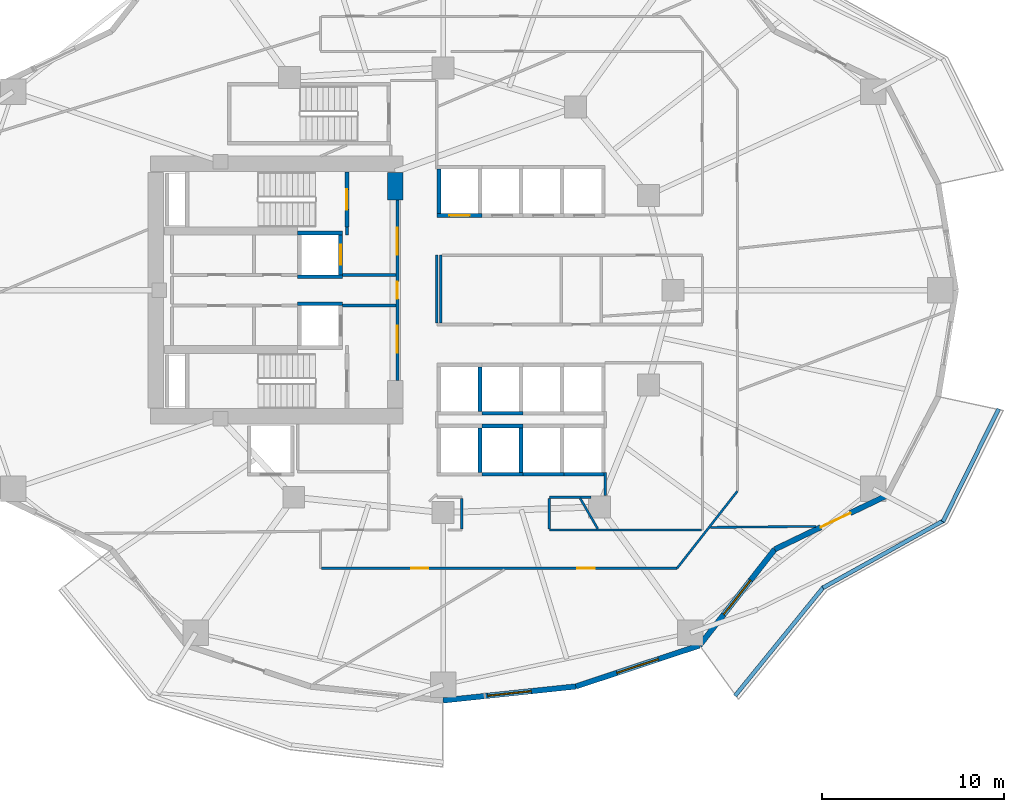
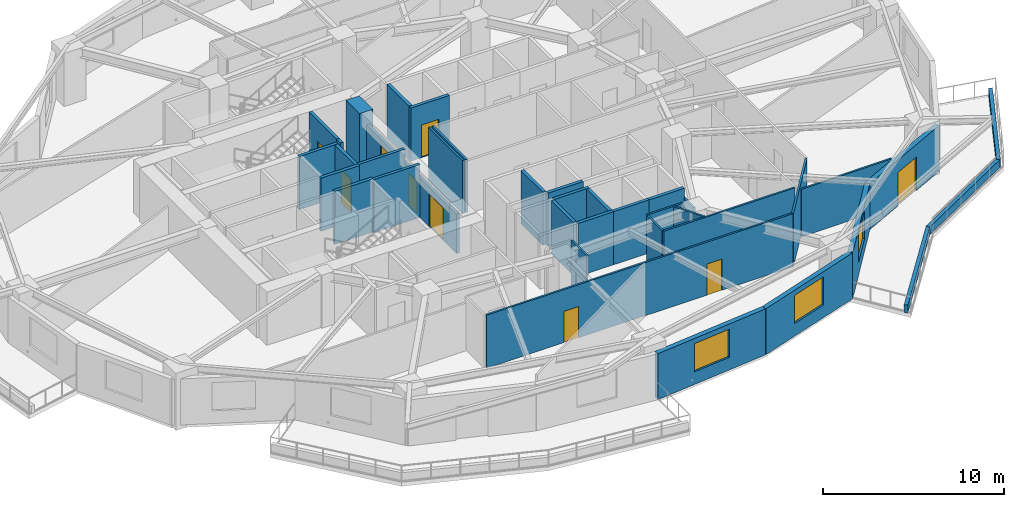
# One storey, part 4 of 14: 38 walls, 9 doors, 3 windows, 12 openings.
"""IFC4 building model written with IfcOpenShell, lengths in metres."""

from ifc_helpers import new_model, si_unit, direction, frame, frame_2d, origin, place, context, subcontext, project, spatial, rectangle, extrude, material, layer, layer_set, type_object, element, fill, save


model = new_model("IFC4")

# Units and contexts
model_context = context("Model", 3, precision=1e-05, world=origin(), true_north=direction((0.0, 1.0)))
body_context = subcontext(model_context, "Body", "Model", "MODEL_VIEW")
ifc_project = project(units=[si_unit("LENGTHUNIT", "METRE"), si_unit("AREAUNIT", "SQUARE_METRE"), si_unit("VOLUMEUNIT", "CUBIC_METRE"), si_unit("PLANEANGLEUNIT", "RADIAN"), si_unit("MASSUNIT", "GRAM", prefix="KILO")], contexts=[model_context])

# Site, building, storey
site_placement = place(None, origin())
site = spatial("IfcSite", under=ifc_project, at=site_placement, CompositionType="ELEMENT")
building_placement = place(site_placement, origin())
building = spatial("IfcBuilding", under=site, at=building_placement, Name="Kolvaren Gate Tower and Convention Centre", CompositionType="ELEMENT")
storey_placement = place(building_placement, frame((0.0, 0.0, 41.89990234375)))
storey = spatial("IfcBuildingStorey", under=building, at=storey_placement, Name="L09", CompositionType="ELEMENT", Elevation=41.89990234375)

# Wall
ifc_material_1 = material(Name="Autoclaved Aerated Masonry Blockwork Class 4 (4.0 MPa)", Category="masonry")
ifc_layer_1 = layer(ifc_material_1, 0.179931640625)
ifc_layer_set_1 = layer_set([ifc_layer_1], Name="Autoclaved Aerated Masonry Blockwork Class 4 (4.0 MPa)")
wall_type_1 = type_object("IfcWallType", Name="ARCH-WL-COMP-180", PredefinedType="SOLIDWALL", material=ifc_layer_set_1)
wall_1_placement = place(storey_placement, frame((24.85009765625, 30.0400390625, 0.0), z_axis=(0.0, 0.0, 1.0), x_axis=(0.0, 1.0, 0.0)))
element("IfcWall", 1, at=wall_1_placement, inside=storey, type_object=wall_type_1, Name="Interior Partition WL-L09-INT-002", PredefinedType="SOLIDWALL", context=body_context, shape_type="SweptSolid", body=[
    extrude(rectangle(XDim=0.419921875, YDim=0.179931640625, at=frame_2d((0.2099609375, 0.0))), origin(), (0.0, 0.0, 1.0), 3.570068359375),
])

# Wall, openings, doors
wall_2_placement = place(storey_placement, frame((27.6201171875, 22.050048828125, 0.0), z_axis=(0.0, 0.0, 1.0), x_axis=(0.0, 1.0, 0.0)))
wall_2 = element("IfcWall", 2, at=wall_2_placement, inside=storey, type_object=wall_type_1, Name="Interior Partition WL-L09-INT-003", PredefinedType="SOLIDWALL", context=body_context, shape_type="SweptSolid", body=[
    extrude(rectangle(XDim=9.89990234375, YDim=0.179931640625, at=frame_2d((4.949951171875, 0.0))), origin(), (0.0, 0.0, 1.0), 2.662109375),
])
opening_1_placement = place(wall_2_placement, frame((4.47509765625, 0.0, 0.0)))
opening_1 = element("IfcOpeningElement", 3, at=opening_1_placement, cuts=wall_2, Name="Opening DR-01", PredefinedType="OPENING", context=body_context, shape_type="SweptSolid", body=[
    extrude(rectangle(XDim=0.949951171875, YDim=2.10009765625, at=frame_2d((0.47509765625, 1.050048828125))), frame((0.0, 0.099853515625, 0.0), z_axis=(0.0, -1.0, 0.0), x_axis=(1.0, 0.0, 0.0)), (0.0, 0.0, 1.0), 0.199951171875),
])
opening_2_placement = place(wall_2_placement, frame((6.889892578125, 0.0, 0.0)))
opening_2 = element("IfcOpeningElement", 4, at=opening_2_placement, cuts=wall_2, Name="Opening DL-01", PredefinedType="OPENING", context=body_context, shape_type="SweptSolid", body=[
    extrude(rectangle(XDim=1.5, YDim=2.199951171875, at=frame_2d((0.75, 1.10009765625))), frame((0.0, 0.099853515625, 0.0), z_axis=(0.0, -1.0, 0.0), x_axis=(1.0, 0.0, 0.0)), (0.0, 0.0, 1.0), 0.199951171875),
])
opening_3_placement = place(wall_2_placement, frame((1.510009765625, 0.0, 0.0)))
opening_3 = element("IfcOpeningElement", 5, at=opening_3_placement, cuts=wall_2, Name="Opening DL-01", PredefinedType="OPENING", context=body_context, shape_type="SweptSolid", body=[
    extrude(rectangle(XDim=1.5, YDim=2.199951171875, at=frame_2d((0.75, 1.10009765625))), frame((0.0, 0.099853515625, 0.0), z_axis=(0.0, -1.0, 0.0), x_axis=(1.0, 0.0, 0.0)), (0.0, 0.0, 1.0), 0.199951171875),
])
ifc_material_2 = material(Name="Painted Architectural Steelwork ASTM A500 Grade C 345 MPa", Category="steel")
door_type_1 = type_object("IfcDoorType", Name="ARCH-DR-LOBBY-1500", OperationType="DOUBLE_DOOR_SINGLE_SWING", PredefinedType="DOOR", material=ifc_material_2)
door_1_placement = place(opening_2_placement, origin())
door_1 = element("IfcDoor", 6, at=door_1_placement, inside=storey, type_object=door_type_1, Name="North Firefighting Stair and Lift Lobby Door", OperationType="DOUBLE_DOOR_SINGLE_SWING", OverallHeight=2.199951171875, OverallWidth=1.5, PredefinedType="DOOR", context=body_context, shape_type="SweptSolid", body=[
    extrude(rectangle(XDim=1.5, YDim=2.199951171875, at=frame_2d((0.75, 1.10009765625))), frame((0.0, 0.02490234375, 0.0), z_axis=(0.0, -1.0, 0.0), x_axis=(1.0, 0.0, 0.0)), (0.0, 0.0, 1.0), 0.050048828125),
])
fill(opening_2, door_1)
door_2_placement = place(opening_3_placement, origin())
door_2 = element("IfcDoor", 7, at=door_2_placement, inside=storey, type_object=door_type_1, Name="South Firefighting Stair and Lift Lobby Door", OperationType="DOUBLE_DOOR_SINGLE_SWING", OverallHeight=2.199951171875, OverallWidth=1.5, PredefinedType="DOOR", context=body_context, shape_type="SweptSolid", body=[
    extrude(rectangle(XDim=1.5, YDim=2.199951171875, at=frame_2d((0.75, 1.10009765625))), frame((0.0, 0.02490234375, 0.0), z_axis=(0.0, -1.0, 0.0), x_axis=(1.0, 0.0, 0.0)), (0.0, 0.0, 1.0), 0.050048828125),
])
fill(opening_3, door_2)
door_type_2 = type_object("IfcDoorType", Name="ARCH-DR-RISER-950", OperationType="SINGLE_SWING_RIGHT", PredefinedType="DOOR", material=ifc_material_2)
door_3_placement = place(opening_1_placement, origin())
door_3 = element("IfcDoor", 8, at=door_3_placement, inside=storey, type_object=door_type_2, Name="Central MEP Service Corridor Door", OperationType="SINGLE_SWING_RIGHT", OverallHeight=2.10009765625, OverallWidth=0.949951171875, PredefinedType="DOOR", context=body_context, shape_type="SweptSolid", body=[
    extrude(rectangle(XDim=0.949951171875, YDim=2.10009765625, at=frame_2d((0.47509765625, 1.050048828125))), frame((0.0, 0.02490234375, 0.0), z_axis=(0.0, -1.0, 0.0), x_axis=(1.0, 0.0, 0.0)), (0.0, 0.0, 1.0), 0.050048828125),
])
fill(opening_1, door_3)

# Walls
for number, where, z_axis, x_axis, name in (
    (9, (24.60009765625, 27.840087890625, 0.0), (0.0, 0.0, 1.0), (1.0, 0.0, 0.0), "Interior Partition WL-L09-INT-004 (2)"),
    (10, (24.60009765625, 26.159912109375, 0.0), (0.0, 0.0, 1.0), (1.0, 0.0, 0.0), "Interior Partition WL-L09-INT-005 (2)"),
):
    element("IfcWall", number, at=place(storey_placement, frame(where, z_axis=z_axis, x_axis=x_axis)), inside=storey, type_object=wall_type_1, Name=name, PredefinedType="SOLIDWALL", context=body_context, shape_type="SweptSolid", body=[
        extrude(rectangle(XDim=2.927978515625, YDim=0.179931640625, at=frame_2d((1.4638671875, 0.0))), origin(), (0.0, 0.0, 1.0), 3.570068359375),
    ])
ifc_material_3 = material(Name="Fire-Rated Acoustic Gypsum Stud Partition", Category="gypsum")
ifc_layer_2 = layer(ifc_material_3, 0.1201171875)
ifc_layer_set_2 = layer_set([ifc_layer_2], Name="Fire-Rated Acoustic Gypsum Stud Partition")
wall_type_2 = type_object("IfcWallType", Name="ARCH-WL-PART-120", PredefinedType="PARTITIONING", material=ifc_layer_set_2)
wall_3_placement = place(storey_placement, frame((29.780029296875, 25.197021484375, 0.0), z_axis=(0.0, 0.0, 1.0), x_axis=(0.0, 1.0, 0.0)))
element("IfcWall", 11, at=wall_3_placement, inside=storey, type_object=wall_type_2, Name="Interior Partition WL-L09-INT-018", PredefinedType="PARTITIONING", context=body_context, shape_type="SweptSolid", body=[
    extrude(rectangle(XDim=3.722900390625, YDim=0.1201171875, at=frame_2d((1.861328125, 0.0))), origin(), (0.0, 0.0, 1.0), 3.570068359375),
])
wall_4_placement = place(storey_placement, frame((42.95703125, 11.75, 0.0), z_axis=(0.0, 0.0, 1.0), x_axis=(0.616428289415, 0.78741105149, 0.0)))
element("IfcWall", 12, at=wall_4_placement, inside=storey, type_object=wall_type_2, Name="Interior Partition WL-L09-INT-031", PredefinedType="PARTITIONING", context=body_context, shape_type="SweptSolid", body=[
    extrude(rectangle(XDim=5.37451171875, YDim=0.1201171875, at=frame_2d((2.687255859375, 0.0))), origin(), (0.0, 0.0, 1.0), 3.570068359375),
])

# Wall, openings, doors
wall_5_placement = place(storey_placement, frame((23.4619140625, 11.75, 0.0), z_axis=(0.0, 0.0, 1.0), x_axis=(1.0, 0.0, 0.0)))
wall_5 = element("IfcWall", 13, at=wall_5_placement, inside=storey, type_object=wall_type_2, Name="Interior Partition WL-L09-INT-032", PredefinedType="PARTITIONING", context=body_context, shape_type="SweptSolid", body=[
    extrude(rectangle(XDim=19.4951171875, YDim=0.1201171875, at=frame_2d((9.74755859375, 0.0))), origin(), (0.0, 0.0, 1.0), 3.570068359375),
])
opening_4_placement = place(wall_5_placement, frame((4.911865234375, 0.0, 0.0)))
opening_4 = element("IfcOpeningElement", 14, at=opening_4_placement, cuts=wall_5, Name="Opening DR-01", PredefinedType="OPENING", context=body_context, shape_type="SweptSolid", body=[
    extrude(rectangle(XDim=0.949951171875, YDim=2.10009765625, at=frame_2d((0.47509765625, 1.050048828125))), frame((0.0, 0.070068359375, 0.0), z_axis=(0.0, -1.0, 0.0), x_axis=(1.0, 0.0, 0.0)), (0.0, 0.0, 1.0), 0.14013671875),
])
opening_5_placement = place(wall_5_placement, frame((14.022705078125, 0.0, 0.0)))
opening_5 = element("IfcOpeningElement", 15, at=opening_5_placement, cuts=wall_5, Name="Opening DR-01", PredefinedType="OPENING", context=body_context, shape_type="SweptSolid", body=[
    extrude(rectangle(XDim=0.949951171875, YDim=2.10009765625, at=frame_2d((0.47509765625, 1.050048828125))), frame((0.0, 0.070068359375, 0.0), z_axis=(0.0, -1.0, 0.0), x_axis=(1.0, 0.0, 0.0)), (0.0, 0.0, 1.0), 0.14013671875),
])
door_4_placement = place(opening_4_placement, origin())
door_4 = element("IfcDoor", 16, at=door_4_placement, inside=storey, type_object=door_type_2, Name="Executive Seminar Conference Room Door", OperationType="SINGLE_SWING_LEFT", OverallHeight=2.10009765625, OverallWidth=0.949951171875, PredefinedType="DOOR", context=body_context, shape_type="SweptSolid", body=[
    extrude(rectangle(XDim=0.949951171875, YDim=2.10009765625, at=frame_2d((0.47509765625, 1.050048828125))), frame((0.0, 0.02490234375, 0.0), z_axis=(0.0, -1.0, 0.0), x_axis=(1.0, 0.0, 0.0)), (0.0, 0.0, 1.0), 0.050048828125),
])
fill(opening_4, door_4)
door_5_placement = place(opening_5_placement, origin())
door_5 = element("IfcDoor", 17, at=door_5_placement, inside=storey, type_object=door_type_2, Name="Conference and Training Seminar Room Door", OperationType="SINGLE_SWING_RIGHT", OverallHeight=2.10009765625, OverallWidth=0.949951171875, PredefinedType="DOOR", context=body_context, shape_type="SweptSolid", body=[
    extrude(rectangle(XDim=0.949951171875, YDim=2.10009765625, at=frame_2d((0.47509765625, 1.050048828125))), frame((0.0, 0.02490234375, 0.0), z_axis=(0.0, -1.0, 0.0), x_axis=(1.0, 0.0, 0.0)), (0.0, 0.0, 1.0), 0.050048828125),
])
fill(opening_5, door_5)

# Walls
wall_6_placement = place(storey_placement, frame((35.949951171875, 13.85009765625, 0.0), z_axis=(0.0, 0.0, 1.0), x_axis=(1.0, 0.0, 0.0)))
element("IfcWall", 18, at=wall_6_placement, inside=storey, type_object=wall_type_2, Name="Interior Partition WL-L09-INT-035", PredefinedType="PARTITIONING", context=body_context, shape_type="SweptSolid", body=[
    extrude(rectangle(XDim=8.338134765625, YDim=0.1201171875, at=frame_2d((4.1689453125, 0.0))), origin(), (0.0, 0.0, 1.0), 3.570068359375),
])
wall_7_placement = place(storey_placement, frame((35.949951171875, 15.64990234375, 0.0), z_axis=(0.0, 0.0, 1.0), x_axis=(1.0, 0.0, 0.0)))
element("IfcWall", 19, at=wall_7_placement, inside=storey, type_object=wall_type_2, Name="Interior Partition WL-L09-INT-039", PredefinedType="PARTITIONING", context=body_context, shape_type="SweptSolid", body=[
    extrude(rectangle(XDim=2.291015625, YDim=0.1201171875, at=frame_2d((1.1455078125, 0.0))), origin(), (0.0, 0.0, 1.0), 3.570068359375),
])
wall_8_placement = place(storey_placement, frame((35.949951171875, 13.912109375, 0.0), z_axis=(0.0, 0.0, 1.0), x_axis=(0.0, 1.0, 0.0)))
element("IfcWall", 20, at=wall_8_placement, inside=storey, type_object=wall_type_2, Name="Interior Partition WL-L09-INT-040", PredefinedType="PARTITIONING", context=body_context, shape_type="SweptSolid", body=[
    extrude(rectangle(XDim=1.67578125, YDim=0.1201171875, at=frame_2d((0.837890625, 0.0))), origin(), (0.0, 0.0, 1.0), 3.570068359375),
])
wall_9_placement = place(storey_placement, frame((39.02001953125, 15.741943359375, 0.0), z_axis=(0.0, 0.0, 1.0), x_axis=(0.0, 1.0, 0.0)))
element("IfcWall", 21, at=wall_9_placement, inside=storey, type_object=wall_type_2, Name="Interior Partition WL-L09-INT-042", PredefinedType="PARTITIONING", context=body_context, shape_type="SweptSolid", body=[
    extrude(rectangle(XDim=1.26806640625, YDim=0.1201171875, at=frame_2d((0.634033203125, 0.0))), origin(), (0.0, 0.0, 1.0), 2.93408203125),
])
wall_10_placement = place(storey_placement, frame((31.14990234375, 13.912109375, 0.0), z_axis=(0.0, 0.0, 1.0), x_axis=(0.0, 1.0, 0.0)))
element("IfcWall", 22, at=wall_10_placement, inside=storey, type_object=wall_type_2, Name="Interior Partition WL-L09-INT-044", PredefinedType="PARTITIONING", context=body_context, shape_type="SweptSolid", body=[
    extrude(rectangle(XDim=1.67578125, YDim=0.1201171875, at=frame_2d((0.837890625, 0.0))), origin(), (0.0, 0.0, 1.0), 3.570068359375),
])
wall_11_placement = place(storey_placement, frame((44.790283203125, 13.9912109375, 0.0), z_axis=(0.0, 0.0, 1.0), x_axis=(0.999951876208, 0.009810467268, 0.0)))
element("IfcWall", 23, at=wall_11_placement, inside=storey, type_object=wall_type_2, Name="Interior Partition WL-L09-INT-050", PredefinedType="PARTITIONING", context=body_context, shape_type="SweptSolid", body=[
    extrude(rectangle(XDim=5.79833984375, YDim=0.1201171875, at=frame_2d((2.899169921875, 0.0))), origin(), (0.0, 0.0, 1.0), 3.205078125),
])
wall_12_placement = place(storey_placement, frame((37.641845703125, 15.587890625, 0.0), z_axis=(0.0, 0.0, 1.0), x_axis=(0.499911776505, -0.866076333652, 0.0)))
element("IfcWall", 24, at=wall_12_placement, inside=storey, type_object=wall_type_2, Name="Interior Partition WL-L09-INT-052", PredefinedType="PARTITIONING", context=body_context, shape_type="SweptSolid", body=[
    extrude(rectangle(XDim=1.934814453125, YDim=0.1201171875, at=frame_2d((0.96728515625, 0.0))), origin(), (0.0, 0.0, 1.0), 3.570068359375),
])
ifc_material_4 = material(Name="Piedmont Cream Honed Limestone Cladding", Category="masonry")
ifc_layer_3 = layer(ifc_material_4, 0.219970703125)
ifc_layer_set_3 = layer_set([ifc_layer_3], Name="Piedmont Cream Honed Limestone Cladding")
wall_type_3 = type_object("IfcWallType", Name="ARCH-WL-PLANTER-220", PredefinedType="PARAPET", material=ifc_layer_set_3)
wall_13_placement = place(storey_placement, frame((46.1357421875, 4.748779296875, 0.0), z_axis=(0.0, 0.0, 1.0), x_axis=(0.630997450658, 0.775784903993, 0.0)))
element("IfcWall", 25, at=wall_13_placement, inside=storey, type_object=wall_type_3, Name="Vertical-Forest Balcony Stone Planter Kerb PK-L09-4.1", PredefinedType="PARAPET", context=body_context, shape_type="SweptSolid", body=[
    extrude(rectangle(XDim=7.7177734375, YDim=0.219970703125, at=frame_2d((3.85888671875, 0.0))), origin(), (0.0, 0.0, 1.0), 0.52001953125),
])
wall_14_placement = place(storey_placement, frame((50.959228515625, 10.677978515625, 0.0), z_axis=(0.0, 0.0, 1.0), x_axis=(0.873500119739, 0.48682393205, 0.0)))
element("IfcWall", 26, at=wall_14_placement, inside=storey, type_object=wall_type_3, Name="Vertical-Forest Balcony Stone Planter Kerb PK-L09-4.2", PredefinedType="PARAPET", context=body_context, shape_type="SweptSolid", body=[
    extrude(rectangle(XDim=7.56201171875, YDim=0.219970703125, at=frame_2d((3.781005859375, 0.0))), origin(), (0.0, 0.0, 1.0), 0.52001953125),
])
wall_15_placement = place(storey_placement, frame((57.538818359375, 14.303466796875, 0.0), z_axis=(0.0, 0.0, 1.0), x_axis=(0.443578479433, 0.8962355341, 0.0)))
element("IfcWall", 27, at=wall_15_placement, inside=storey, type_object=wall_type_3, Name="Vertical-Forest Balcony Stone Planter Kerb PK-L09-4.3", PredefinedType="PARAPET", context=body_context, shape_type="SweptSolid", body=[
    extrude(rectangle(XDim=6.9111328125, YDim=0.219970703125, at=frame_2d((3.45556640625, 0.0))), origin(), (0.0, 0.0, 1.0), 0.52001953125),
])
ifc_layer_4 = layer(ifc_material_1, 0.199951171875)
ifc_layer_set_4 = layer_set([ifc_layer_4], Name="Autoclaved Aerated Masonry Blockwork Class 4 (4.0 MPa)")
wall_type_4 = type_object("IfcWallType", Name="ARCH-WL-SHAFT-200", PredefinedType="SOLIDWALL", material=ifc_layer_set_4)
for number, where, z_axis, x_axis, name in (
    (28, (22.14990234375, 30.139892578125, 0.0), (0.0, 0.0, 1.0), (1.0, 0.0, 0.0), "Elevator FF-01 L09 Fire Shaft Wall N"),
    (29, (22.14990234375, 27.739990234375, 0.0), (0.0, 0.0, 1.0), (1.0, 0.0, 0.0), "Elevator FF-01 L09 Fire Shaft Wall S"),
):
    element("IfcWall", number, at=place(storey_placement, frame(where, z_axis=z_axis, x_axis=x_axis)), inside=storey, type_object=wall_type_4, Name=name, PredefinedType="SOLIDWALL", context=body_context, shape_type="SweptSolid", body=[
        extrude(rectangle(XDim=2.4501953125, YDim=0.199951171875, at=frame_2d((1.22509765625, 0.0))), origin(), (0.0, 0.0, 1.0), 3.570068359375),
    ])

# Wall, opening, door
wall_16_placement = place(storey_placement, frame((24.5, 27.85009765625, 0.0), z_axis=(0.0, 0.0, 1.0), x_axis=(0.0, 1.0, 0.0)))
wall_16 = element("IfcWall", 30, at=wall_16_placement, inside=storey, type_object=wall_type_4, Name="Elevator FF-01 L09 Fire Shaft Wall E", PredefinedType="SOLIDWALL", context=body_context, shape_type="SweptSolid", body=[
    extrude(rectangle(XDim=2.179931640625, YDim=0.199951171875, at=frame_2d((1.08984375, 0.0))), origin(), (0.0, 0.0, 1.0), 3.570068359375),
])
opening_6_placement = place(wall_16_placement, frame((0.5400390625, 0.0, 0.0)))
opening_6 = element("IfcOpeningElement", 31, at=opening_6_placement, cuts=wall_16, Name="Opening LD", PredefinedType="OPENING", context=body_context, shape_type="SweptSolid", body=[
    extrude(rectangle(XDim=1.10009765625, YDim=2.199951171875, at=frame_2d((0.550048828125, 1.10009765625))), frame((0.0, 0.10986328125, 0.0), z_axis=(0.0, -1.0, 0.0), x_axis=(1.0, 0.0, 0.0)), (0.0, 0.0, 1.0), 0.219970703125),
])
ifc_material_5 = material(Name="Brushed Stainless Steel Grade 316L", Category="steel")
door_type_3 = type_object("IfcDoorType", Name="ARCH-DR-LIFT-1100", OperationType="SLIDING_TO_LEFT", PredefinedType="DOOR", material=ifc_material_5)
door_6_placement = place(opening_6_placement, origin())
door_6 = element("IfcDoor", 32, at=door_6_placement, inside=storey, type_object=door_type_3, Name="Elevator FF-01 L09 Sliding Landing Door", OperationType="SLIDING_TO_LEFT", OverallHeight=2.199951171875, OverallWidth=1.10009765625, PredefinedType="DOOR", context=body_context, shape_type="SweptSolid", body=[
    extrude(rectangle(XDim=1.10009765625, YDim=2.199951171875, at=frame_2d((0.550048828125, 1.10009765625))), frame((0.0, 0.02490234375, 0.0), z_axis=(0.0, -1.0, 0.0), x_axis=(1.0, 0.0, 0.0)), (0.0, 0.0, 1.0), 0.050048828125),
])
fill(opening_6, door_6)

# Wall
wall_17_placement = place(storey_placement, frame((22.14990234375, 26.260009765625, 0.0), z_axis=(0.0, 0.0, 1.0), x_axis=(1.0, 0.0, 0.0)))
element("IfcWall", 33, at=wall_17_placement, inside=storey, type_object=wall_type_4, Name="Elevator FF-02 L09 Fire Shaft Wall N", PredefinedType="SOLIDWALL", context=body_context, shape_type="SweptSolid", body=[
    extrude(rectangle(XDim=2.4501953125, YDim=0.199951171875, at=frame_2d((1.22509765625, 0.0))), origin(), (0.0, 0.0, 1.0), 3.570068359375),
])

# Wall, opening, door
wall_18_placement = place(storey_placement, frame((29.800048828125, 31.10009765625, 0.0), z_axis=(0.0, 0.0, 1.0), x_axis=(1.0, 0.0, 0.0)))
wall_18 = element("IfcWall", 34, at=wall_18_placement, inside=storey, type_object=wall_type_4, Name="Elevator PL-01 L09 Fire Shaft Wall S", PredefinedType="SOLIDWALL", context=body_context, shape_type="SweptSolid", body=[
    extrude(rectangle(XDim=2.449951171875, YDim=0.199951171875, at=frame_2d((1.22509765625, 0.0))), origin(), (0.0, 0.0, 1.0), 3.570068359375),
])
opening_7_placement = place(wall_18_placement, frame((0.675048828125, 0.0, 0.0)))
opening_7 = element("IfcOpeningElement", 35, at=opening_7_placement, cuts=wall_18, Name="Opening LD", PredefinedType="OPENING", context=body_context, shape_type="SweptSolid", body=[
    extrude(rectangle(XDim=1.10009765625, YDim=2.199951171875, at=frame_2d((0.550048828125, 1.10009765625))), frame((0.0, 0.10986328125, 0.0), z_axis=(0.0, -1.0, 0.0), x_axis=(1.0, 0.0, 0.0)), (0.0, 0.0, 1.0), 0.219970703125),
])
door_7_placement = place(opening_7_placement, origin())
door_7 = element("IfcDoor", 36, at=door_7_placement, inside=storey, type_object=door_type_3, Name="Elevator PL-01 L09 Sliding Landing Door", OperationType="SLIDING_TO_LEFT", OverallHeight=2.199951171875, OverallWidth=1.10009765625, PredefinedType="DOOR", context=body_context, shape_type="SweptSolid", body=[
    extrude(rectangle(XDim=1.10009765625, YDim=2.199951171875, at=frame_2d((0.550048828125, 1.10009765625))), frame((0.0, 0.02490234375, 0.0), z_axis=(0.0, -1.0, 0.0), x_axis=(1.0, 0.0, 0.0)), (0.0, 0.0, 1.0), 0.050048828125),
])
fill(opening_7, door_7)

# Walls
for number, where, z_axis, x_axis, name in (
    (37, (29.89990234375, 31.2099609375, 0.0), (0.0, 0.0, 1.0), (0.0, 1.0, 0.0), "Elevator PL-01 L09 Fire Shaft Wall W"),
    (38, (32.14990234375, 17.010009765625, 0.0), (0.0, 0.0, 1.0), (0.0, 1.0, 0.0), "Elevator PL-05 L09 Fire Shaft Wall E"),
):
    element("IfcWall", number, at=place(storey_placement, frame(where, z_axis=z_axis, x_axis=x_axis)), inside=storey, type_object=wall_type_4, Name=name, PredefinedType="SOLIDWALL", context=body_context, shape_type="SweptSolid", body=[
        extrude(rectangle(XDim=2.429931640625, YDim=0.199951171875, at=frame_2d((1.21484375, 0.0))), origin(), (0.0, 0.0, 1.0), 3.570068359375),
    ])
for number, where, z_axis, x_axis, name in (
    (39, (32.25, 19.550048828125, 0.0), (0.0, 0.0, 1.0), (1.0, 0.0, 0.0), "Elevator PL-06 L09 Fire Shaft Wall N"),
    (40, (32.25, 16.89990234375, 0.0), (0.0, 0.0, 1.0), (1.0, 0.0, 0.0), "Elevator PL-06 L09 Fire Shaft Wall S"),
):
    element("IfcWall", number, at=place(storey_placement, frame(where, z_axis=z_axis, x_axis=x_axis)), inside=storey, type_object=wall_type_4, Name=name, PredefinedType="SOLIDWALL", context=body_context, shape_type="SweptSolid", body=[
        extrude(rectangle(XDim=2.25, YDim=0.199951171875, at=frame_2d((1.125, 0.0))), origin(), (0.0, 0.0, 1.0), 3.570068359375),
    ])
wall_19_placement = place(storey_placement, frame((34.39990234375, 17.010009765625, 0.0), z_axis=(0.0, 0.0, 1.0), x_axis=(0.0, 1.0, 0.0)))
element("IfcWall", 41, at=wall_19_placement, inside=storey, type_object=wall_type_4, Name="Elevator PL-06 L09 Fire Shaft Wall E", PredefinedType="SOLIDWALL", context=body_context, shape_type="SweptSolid", body=[
    extrude(rectangle(XDim=2.429931640625, YDim=0.199951171875, at=frame_2d((1.21484375, 0.0))), origin(), (0.0, 0.0, 1.0), 3.570068359375),
])
for number, where, z_axis, x_axis, name in (
    (42, (34.5, 16.89990234375, 0.0), (0.0, 0.0, 1.0), (1.0, 0.0, 0.0), "Elevator PL-07 L09 Fire Shaft Wall S"),
    (43, (36.75, 16.89990234375, 0.0), (0.0, 0.0, 1.0), (1.0, 0.0, 0.0), "Elevator PL-08 L09 Fire Shaft Wall S"),
):
    element("IfcWall", number, at=place(storey_placement, frame(where, z_axis=z_axis, x_axis=x_axis)), inside=storey, type_object=wall_type_4, Name=name, PredefinedType="SOLIDWALL", context=body_context, shape_type="SweptSolid", body=[
        extrude(rectangle(XDim=2.25, YDim=0.199951171875, at=frame_2d((1.125, 0.0))), origin(), (0.0, 0.0, 1.0), 3.570068359375),
    ])
wall_20_placement = place(storey_placement, frame((32.14990234375, 20.360107421875, 0.0), z_axis=(0.0, 0.0, 1.0), x_axis=(0.0, 1.0, 0.0)))
element("IfcWall", 44, at=wall_20_placement, inside=storey, type_object=wall_type_4, Name="Elevator PL-09 L09 Fire Shaft Wall E", PredefinedType="SOLIDWALL", context=body_context, shape_type="SweptSolid", body=[
    extrude(rectangle(XDim=2.429931640625, YDim=0.199951171875, at=frame_2d((1.21484375, 0.0))), origin(), (0.0, 0.0, 1.0), 3.570068359375),
])
wall_21_placement = place(storey_placement, frame((32.25, 20.25, 0.0), z_axis=(0.0, 0.0, 1.0), x_axis=(1.0, 0.0, 0.0)))
element("IfcWall", 45, at=wall_21_placement, inside=storey, type_object=wall_type_4, Name="Elevator PL-10 L09 Fire Shaft Wall S", PredefinedType="SOLIDWALL", context=body_context, shape_type="SweptSolid", body=[
    extrude(rectangle(XDim=2.25, YDim=0.199951171875, at=frame_2d((1.125, 0.0))), origin(), (0.0, 0.0, 1.0), 3.570068359375),
])

# Wall, opening, window
ifc_layer_5 = layer(ifc_material_4, 0.300048828125)
ifc_layer_set_5 = layer_set([ifc_layer_5], Name="Piedmont Cream Honed Limestone Cladding")
wall_type_5 = type_object("IfcWallType", Name="ARCH-WL-STONE-300", PredefinedType="SOLIDWALL", material=ifc_layer_set_5)
wall_22_placement = place(storey_placement, frame((30.125, 4.5, 0.0), z_axis=(0.0, 0.0, 1.0), x_axis=(0.994500334317, 0.104733399844, 0.0)))
wall_22 = element("IfcWall", 46, at=wall_22_placement, inside=storey, type_object=wall_type_5, Name="Tower L09 Honed Stone Spandrel Wall EW-18", PredefinedType="SOLIDWALL", context=body_context, shape_type="SweptSolid", body=[
    extrude(rectangle(XDim=7.319580078125, YDim=0.300048828125, at=frame_2d((3.65966796875, 0.0))), origin(), (0.0, 0.0, 1.0), 3.093017578125),
])
opening_8_placement = place(wall_22_placement, frame((2.4599609375, 0.0, 0.85009765625)))
opening_8 = element("IfcOpeningElement", 47, at=opening_8_placement, cuts=wall_22, Name="Opening W-01", PredefinedType="OPENING", context=body_context, shape_type="SweptSolid", body=[
    extrude(rectangle(XDim=2.39990234375, YDim=1.89990234375, at=frame_2d((1.199951171875, 0.949951171875))), frame((0.0, 0.159912109375, 0.0), z_axis=(0.0, -1.0, 0.0), x_axis=(1.0, 0.0, 0.0)), (0.0, 0.0, 1.0), 0.320068359375),
])
ifc_material_6 = material(Name="Low-E Triple Insulated Glazing Unit 44 mm", Category="glass")
window_type = type_object("IfcWindowType", Name="ARCH-WN-OFF-2400", PartitioningType="SINGLE_PANEL", PredefinedType="WINDOW", material=ifc_material_6)
window_1_placement = place(opening_8_placement, origin())
window_1 = element("IfcWindow", 48, at=window_1_placement, inside=storey, type_object=window_type, Name="Tower L09 Punched Stone Facade Window W-18", OverallHeight=1.89990234375, OverallWidth=2.39990234375, PartitioningType="SINGLE_PANEL", PredefinedType="WINDOW", context=body_context, shape_type="SweptSolid", body=[
    extrude(rectangle(XDim=2.39990234375, YDim=1.89990234375, at=frame_2d((1.199951171875, 0.949951171875))), frame((0.0, 0.030029296875, 0.0), z_axis=(0.0, -1.0, 0.0), x_axis=(1.0, 0.0, 0.0)), (0.0, 0.0, 1.0), 0.06005859375),
])
fill(opening_8, window_1)

wall_23_placement = place(storey_placement, frame((37.404296875, 5.2666015625, 0.0), z_axis=(0.0, 0.0, 1.0), x_axis=(0.949238715533, 0.31455661006, 0.0)))
wall_23 = element("IfcWall", 49, at=wall_23_placement, inside=storey, type_object=wall_type_5, Name="Tower L09 Honed Stone Spandrel Wall EW-19", PredefinedType="SOLIDWALL", context=body_context, shape_type="SweptSolid", body=[
    extrude(rectangle(XDim=7.14599609375, YDim=0.300048828125, at=frame_2d((3.572998046875, 0.0))), origin(), (0.0, 0.0, 1.0), 3.093017578125),
])
opening_9_placement = place(wall_23_placement, frame((2.373046875, 0.0, 0.85009765625)))
opening_9 = element("IfcOpeningElement", 50, at=opening_9_placement, cuts=wall_23, Name="Opening W-01", PredefinedType="OPENING", context=body_context, shape_type="SweptSolid", body=[
    extrude(rectangle(XDim=2.39990234375, YDim=1.89990234375, at=frame_2d((1.199951171875, 0.949951171875))), frame((0.0, 0.159912109375, 0.0), z_axis=(0.0, -1.0, 0.0), x_axis=(1.0, 0.0, 0.0)), (0.0, 0.0, 1.0), 0.320068359375),
])
window_2_placement = place(opening_9_placement, origin())
window_2 = element("IfcWindow", 51, at=window_2_placement, inside=storey, type_object=window_type, Name="Tower L09 Punched Stone Facade Window W-19", OverallHeight=1.89990234375, OverallWidth=2.39990234375, PartitioningType="SINGLE_PANEL", PredefinedType="WINDOW", context=body_context, shape_type="SweptSolid", body=[
    extrude(rectangle(XDim=2.39990234375, YDim=1.89990234375, at=frame_2d((1.199951171875, 0.949951171875))), frame((0.0, 0.030029296875, 0.0), z_axis=(0.0, -1.0, 0.0), x_axis=(1.0, 0.0, 0.0)), (0.0, 0.0, 1.0), 0.06005859375),
])
fill(opening_9, window_2)

wall_24_placement = place(storey_placement, frame((44.1875, 7.514404296875, 0.0), z_axis=(0.0, 0.0, 1.0), x_axis=(0.616421309777, 0.787416515482, 0.0)))
wall_24 = element("IfcWall", 52, at=wall_24_placement, inside=storey, type_object=wall_type_5, Name="Tower L09 Honed Stone Spandrel Wall EW-20", PredefinedType="SOLIDWALL", context=body_context, shape_type="SweptSolid", body=[
    extrude(rectangle(XDim=6.6962890625, YDim=0.300048828125, at=frame_2d((3.34814453125, 0.0))), origin(), (0.0, 0.0, 1.0), 3.093017578125),
])
opening_10_placement = place(wall_24_placement, frame((2.14794921875, 0.0, 0.85009765625)))
opening_10 = element("IfcOpeningElement", 53, at=opening_10_placement, cuts=wall_24, Name="Opening W-01", PredefinedType="OPENING", context=body_context, shape_type="SweptSolid", body=[
    extrude(rectangle(XDim=2.39990234375, YDim=1.89990234375, at=frame_2d((1.199951171875, 0.949951171875))), frame((0.0, 0.159912109375, 0.0), z_axis=(0.0, -1.0, 0.0), x_axis=(1.0, 0.0, 0.0)), (0.0, 0.0, 1.0), 0.320068359375),
])
window_3_placement = place(opening_10_placement, origin())
window_3 = element("IfcWindow", 54, at=window_3_placement, inside=storey, type_object=window_type, Name="Tower L09 Punched Stone Facade Window W-20", OverallHeight=1.89990234375, OverallWidth=2.39990234375, PartitioningType="SINGLE_PANEL", PredefinedType="WINDOW", context=body_context, shape_type="SweptSolid", body=[
    extrude(rectangle(XDim=2.39990234375, YDim=1.89990234375, at=frame_2d((1.199951171875, 0.949951171875))), frame((0.0, 0.030029296875, 0.0), z_axis=(0.0, -1.0, 0.0), x_axis=(1.0, 0.0, 0.0)), (0.0, 0.0, 1.0), 0.06005859375),
])
fill(opening_10, window_3)

# Wall, opening, door
wall_25_placement = place(storey_placement, frame((48.315185546875, 12.787109375, 0.0), z_axis=(0.0, 0.0, 1.0), x_axis=(0.901360393999, 0.433069786673, 0.0)))
wall_25 = element("IfcWall", 55, at=wall_25_placement, inside=storey, type_object=wall_type_5, Name="Tower L09 Honed Stone Spandrel Wall EW-21", PredefinedType="SOLIDWALL", context=body_context, shape_type="SweptSolid", body=[
    extrude(rectangle(XDim=6.841552734375, YDim=0.300048828125, at=frame_2d((3.4208984375, 0.0))), origin(), (0.0, 0.0, 1.0), 3.093017578125),
])
opening_11_placement = place(wall_25_placement, frame((2.800048828125, 0.0, 0.0)))
opening_11 = element("IfcOpeningElement", 56, at=opening_11_placement, cuts=wall_25, Name="Opening DB-01", PredefinedType="OPENING", context=body_context, shape_type="SweptSolid", body=[
    extrude(rectangle(XDim=1.800048828125, YDim=2.25, at=frame_2d((0.89990234375, 1.125))), frame((0.0, 0.159912109375, 0.0), z_axis=(0.0, -1.0, 0.0), x_axis=(1.0, 0.0, 0.0)), (0.0, 0.0, 1.0), 0.320068359375),
])
ifc_material_7 = material(Name="Anodized Architectural Aluminium Alloy 6063-T6", Category="aluminium")
door_type_4 = type_object("IfcDoorType", Name="ARCH-DR-BALC-1800", OperationType="SLIDING_TO_LEFT", PredefinedType="DOOR", material=ifc_material_7)
door_8_placement = place(opening_11_placement, frame((1.800048828125, 0.0, 0.0), z_axis=(0.0, 0.0, 1.0), x_axis=(-1.0, 0.0, 0.0)))
door_8 = element("IfcDoor", 57, at=door_8_placement, inside=storey, type_object=door_type_4, Name="Planted Sky Terrace Access Door DB-L09-21", OperationType="SLIDING_TO_LEFT", OverallHeight=2.25, OverallWidth=1.800048828125, PredefinedType="DOOR", context=body_context, shape_type="SweptSolid", body=[
    extrude(rectangle(XDim=1.800048828125, YDim=2.25, at=frame_2d((0.89990234375, 1.125))), frame((0.0, 0.02490234375, 0.0), z_axis=(0.0, -1.0, 0.0), x_axis=(1.0, 0.0, 0.0)), (0.0, 0.0, 1.0), 0.050048828125),
])
fill(opening_11, door_8)

# Walls
ifc_material_8 = material(Name="Moisture-Resistant Cement-Board Acoustic Partition", Category="gypsum")
ifc_layer_6 = layer(ifc_material_8, 0.14990234375)
ifc_layer_set_6 = layer_set([ifc_layer_6], Name="Moisture-Resistant Cement-Board Acoustic Partition")
wall_type_6 = type_object("IfcWallType", Name="ARCH-WL-WET-150", PredefinedType="PARTITIONING", material=ifc_layer_set_6)
wall_26_placement = place(storey_placement, frame((30.0, 25.197021484375, 0.0), z_axis=(0.0, 0.0, 1.0), x_axis=(0.0, 1.0, 0.0)))
element("IfcWall", 58, at=wall_26_placement, inside=storey, type_object=wall_type_6, Name="Interior Partition WL-L09-INT-013", PredefinedType="PARTITIONING", context=body_context, shape_type="SweptSolid", body=[
    extrude(rectangle(XDim=3.722900390625, YDim=0.14990234375, at=frame_2d((1.861328125, 0.0))), origin(), (0.0, 0.0, 1.0), 3.570068359375),
])
ifc_material_9 = material(Name="Concrete C70/85", Category="concrete")
ifc_layer_7 = layer(ifc_material_9, 0.85009765625)
ifc_layer_set_7 = layer_set([ifc_layer_7], Name="Concrete C70/85")
wall_type_7 = type_object("IfcWallType", Name="STR-WL-CORE-850", PredefinedType="SHEAR", material=ifc_layer_set_7)
wall_27_placement = place(storey_placement, frame((27.5, 31.949951171875, -0.27978515625), z_axis=(0.0, 0.0, 1.0), x_axis=(0.0, 1.0, 0.0)))
element("IfcWall", 59, at=wall_27_placement, inside=storey, type_object=wall_type_7, Name="Tower L09 Offset Core Shear Wall EN", PredefinedType="SHEAR", context=body_context, shape_type="SweptSolid", body=[
    extrude(rectangle(XDim=1.5, YDim=0.85009765625, at=frame_2d((0.75, 0.0))), origin(), (0.0, 0.0, 1.0), 3.849853515625),
])

# Wall, opening, door
ifc_material_10 = material(Name="Concrete C50/60", Category="concrete")
ifc_layer_8 = layer(ifc_material_10, 0.199951171875)
ifc_layer_set_8 = layer_set([ifc_layer_8], Name="Concrete C50/60")
wall_type_8 = type_object("IfcWallType", Name="STR-WL-SHAFT-200", PredefinedType="SHEAR", material=ifc_layer_set_8)
wall_28_placement = place(storey_placement, frame((24.85009765625, 30.4599609375, -0.27978515625), z_axis=(0.0, 0.0, 1.0), x_axis=(0.0, 1.0, 0.0)))
wall_28 = element("IfcWall", 60, at=wall_28_placement, inside=storey, type_object=wall_type_8, Name="Tower North Exit Stair ST-T1 L09 Structural Shear Enclosure Wall NEAR", PredefinedType="SHEAR", context=body_context, shape_type="SweptSolid", body=[
    extrude(rectangle(XDim=3.0380859375, YDim=0.199951171875, at=frame_2d((1.51904296875, 0.0))), origin(), (0.0, 0.0, 1.0), 3.849853515625),
])
opening_12_placement = place(wall_28_placement, frame((0.968994140625, 0.0, 0.280029296875)))
opening_12 = element("IfcOpeningElement", 61, at=opening_12_placement, cuts=wall_28, Name="Opening DS-01", PredefinedType="OPENING", context=body_context, shape_type="SweptSolid", body=[
    extrude(rectangle(XDim=1.10009765625, YDim=2.14990234375, at=frame_2d((0.550048828125, 1.074951171875))), frame((0.0, 0.10986328125, 0.0), z_axis=(0.0, -1.0, 0.0), x_axis=(1.0, 0.0, 0.0)), (0.0, 0.0, 1.0), 0.219970703125),
])
door_type_5 = type_object("IfcDoorType", Name="ARCH-DR-STAIR-1100", OperationType="SINGLE_SWING_LEFT", PredefinedType="DOOR", material=ifc_material_2)
door_9_placement = place(opening_12_placement, origin())
door_9 = element("IfcDoor", 62, at=door_9_placement, inside=storey, type_object=door_type_5, Name="Tower North Exit Stair ST-T1 L09 Fire Exit Stair Door", OperationType="SINGLE_SWING_LEFT", OverallHeight=2.14990234375, OverallWidth=1.10009765625, PredefinedType="DOOR", context=body_context, shape_type="SweptSolid", body=[
    extrude(rectangle(XDim=1.10009765625, YDim=2.14990234375, at=frame_2d((0.550048828125, 1.074951171875))), frame((0.0, 0.02490234375, 0.0), z_axis=(0.0, -1.0, 0.0), x_axis=(1.0, 0.0, 0.0)), (0.0, 0.0, 1.0), 0.050048828125),
])
fill(opening_12, door_9)

save(model, "model.ifc")
